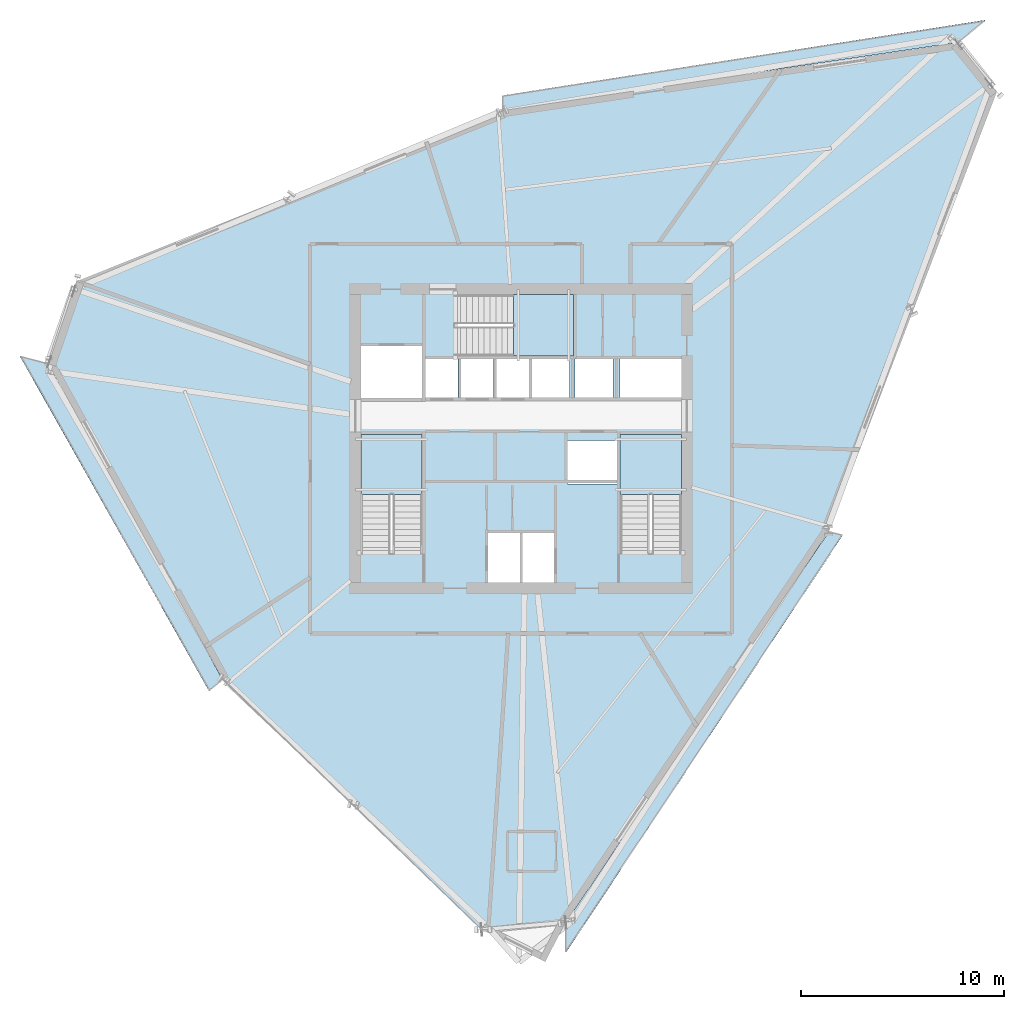
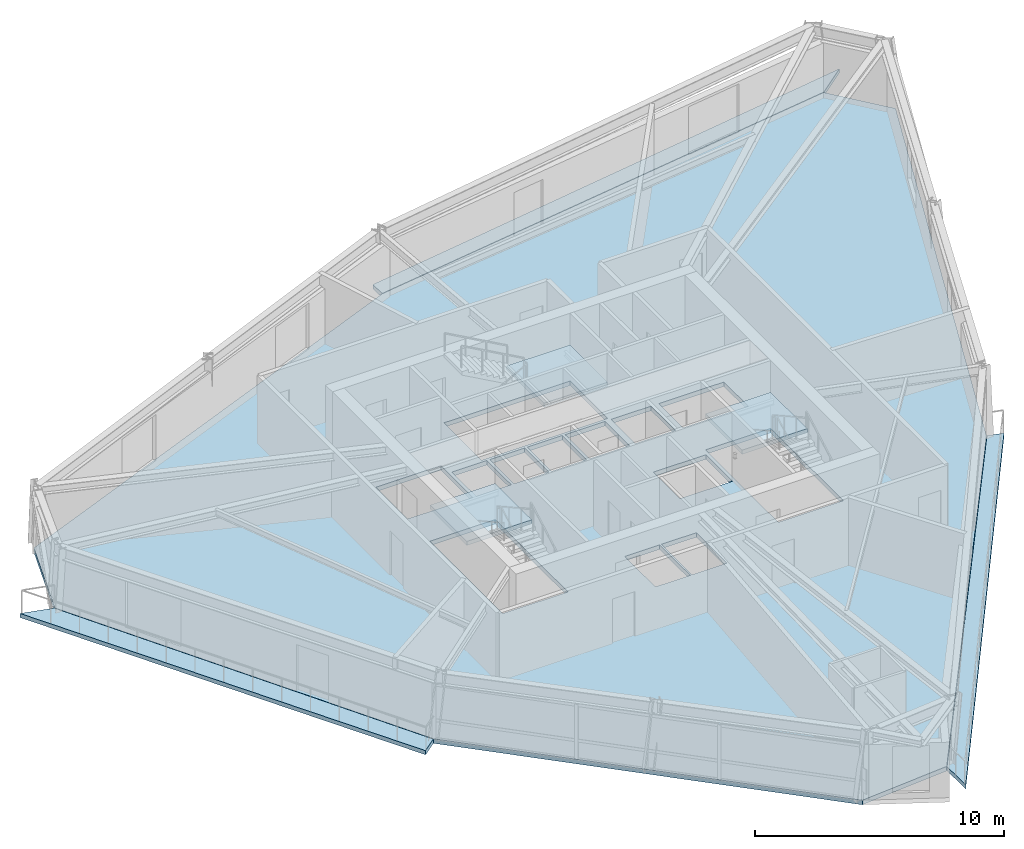
# One storey, part 5 of 13: 7 slabs, 3 elements without a shape of their own.
"""IFC4 building model written with IfcOpenShell, lengths in metres."""

import ifcopenshell
import ifcopenshell.guid

model = None  # the IFC model being written
_history = None  # IfcOwnerHistory: only IFC2X3 demands one
_inside = {}  # id of a spatial element -> (the spatial element, [elements in it])
_under = {}  # id of a project, library or spatial element -> (it, [spatial elements below it])
_declared = {}  # id of a project -> (the project, [libraries it declares])
_typed = {}  # id of a type object -> (the type object, [elements of that type])
_made_of = {}  # id of a material, layer set ... -> (it, [elements and type objects made of it])


def new_model(schema):
    """Start an empty IFC model of exactly this schema.

    Asked for "IFC4X3", IfcOpenShell would pick the latest addendum, in which some entities
    have other attributes; the version numbers below select the first issue.
    IFC2X3 requires an IfcOwnerHistory on every rooted entity: one is made here for all.
    """
    global model, _history
    if schema == "IFC4X3":
        model = ifcopenshell.file(schema_version=(4, 3, 0, 0))
    else:
        model = ifcopenshell.file(schema=schema)
    _inside.clear()
    _under.clear()
    _declared.clear()
    _typed.clear()
    _made_of.clear()
    _history = None
    if model.schema == "IFC2X3":
        org = make("IfcOrganization", Name="unknown")
        user = make(
            "IfcPersonAndOrganization",
            ThePerson=make("IfcPerson", FamilyName="unknown"),
            TheOrganization=org,
        )
        app = make(
            "IfcApplication",
            ApplicationDeveloper=org,
            Version="unknown",
            ApplicationFullName="unknown",
            ApplicationIdentifier="unknown",
        )
        _history = make(
            "IfcOwnerHistory",
            OwningUser=user,
            OwningApplication=app,
            ChangeAction="ADDED",
            CreationDate=0,
        )
    return model


def make(cls, **values):
    """One entity of the class cls with the attributes given. An attribute that is None is left unset."""
    return model.create_entity(
        cls, **{name: value for name, value in values.items() if value is not None}
    )


def rooted(cls, **values):
    """An entity with a GlobalId (a new one), such as an element, a storey or a relation."""
    return make(cls, GlobalId=ifcopenshell.guid.new(), OwnerHistory=_history, **values)


def si_unit(unit_type, name, prefix=None):
    """IfcSIUnit, for example si_unit("LENGTHUNIT", "METRE", prefix="MILLI")."""
    return make("IfcSIUnit", UnitType=unit_type, Prefix=prefix, Name=name)


def assignment(units):
    """IfcUnitAssignment: the units of a project."""
    return None if units is None else make("IfcUnitAssignment", Units=units)


def point(xyz):
    """IfcCartesianPoint."""
    return None if xyz is None else make("IfcCartesianPoint", Coordinates=xyz)


def direction(xyz):
    """IfcDirection."""
    return None if xyz is None else make("IfcDirection", DirectionRatios=xyz)


def frame(location, z_axis=None, x_axis=None):
    """IfcAxis2Placement3D, a coordinate frame: its origin and axes. An axis left out is left unset."""
    return make(
        "IfcAxis2Placement3D",
        Location=point(location),
        Axis=direction(z_axis),
        RefDirection=direction(x_axis),
    )


def origin():
    """The frame at (0, 0, 0) with its axes left unset."""
    return frame((0.0, 0.0, 0.0))


def place(relative_to, where):
    """IfcLocalPlacement: puts the frame where relative to a parent placement (None: the world)."""
    return make(
        "IfcLocalPlacement", PlacementRelTo=relative_to, RelativePlacement=where
    )


def context(
    kind, dimensions, precision=None, world=None, true_north=None, identifier=None
):
    """IfcGeometricRepresentationContext, for example the 3D "Model" context."""
    return make(
        "IfcGeometricRepresentationContext",
        ContextIdentifier=identifier,
        ContextType=kind,
        CoordinateSpaceDimension=dimensions,
        Precision=precision,
        WorldCoordinateSystem=world,
        TrueNorth=true_north,
    )


def subcontext(parent, identifier, kind, view, scale=None):
    """IfcGeometricRepresentationSubContext, for example "Body" below "Model"."""
    return make(
        "IfcGeometricRepresentationSubContext",
        ContextIdentifier=identifier,
        ContextType=kind,
        ParentContext=parent,
        TargetScale=scale,
        TargetView=view,
    )


def project(units=None, contexts=None):
    """IfcProject with its units and contexts."""
    return rooted(
        "IfcProject",
        Name="project",
        RepresentationContexts=contexts,
        UnitsInContext=assignment(units),
    )


def spatial(cls, under=None, at=None, **own):
    """A site, building, storey or space (cls), placed at a placement, below another one or the project."""
    s = rooted(cls, ObjectPlacement=at, **own)
    if under is not None:
        _under.setdefault(under.id(), (under, []))[1].append(s)
    return s


def polyline(points):
    """IfcPolyline through the points."""
    return make("IfcPolyline", Points=[point(p) for p in points])


def outline(outer, holes=None, kind="AREA"):
    """IfcArbitraryClosedProfileDef: a profile drawn as a closed curve; with holes, ...WithVoids."""
    if holes is None:
        return make("IfcArbitraryClosedProfileDef", ProfileType=kind, OuterCurve=outer)
    return make(
        "IfcArbitraryProfileDefWithVoids",
        ProfileType=kind,
        OuterCurve=outer,
        InnerCurves=holes,
    )


def extrude(swept, where, along, depth):
    """IfcExtrudedAreaSolid: the profile swept, set in the frame where, extruded along a direction by depth."""
    return make(
        "IfcExtrudedAreaSolid",
        SweptArea=swept,
        Position=where,
        ExtrudedDirection=direction(along),
        Depth=depth,
    )


def shape(context_of_items, identifier, shape_type, items):
    """IfcShapeRepresentation: the items that make up one representation, for example the "Body"."""
    return make(
        "IfcShapeRepresentation",
        ContextOfItems=context_of_items,
        RepresentationIdentifier=identifier,
        RepresentationType=shape_type,
        Items=items,
    )


def material(Name=None, Category=None):
    """IfcMaterial."""
    return make("IfcMaterial", Name=Name, Category=Category)


def layer(
    of_material, thickness, ventilated=None, Name=None, Category=None, Priority=None
):
    """IfcMaterialLayer: one layer of a wall or slab, of a material (None: an air gap)."""
    return make(
        "IfcMaterialLayer",
        Material=of_material,
        LayerThickness=thickness,
        IsVentilated=ventilated,
        Name=Name,
        Category=Category,
        Priority=Priority,
    )


def layer_set(layers, Name=None):
    """IfcMaterialLayerSet."""
    return make("IfcMaterialLayerSet", MaterialLayers=layers, LayerSetName=Name)


def made_of(thing, what):
    """Note that an element or type object is made of a material, layer set ...; save() writes the relation."""
    if what is not None:
        _made_of.setdefault(what.id(), (what, []))[1].append(thing)
    return thing


def type_object(cls, material=None, **own):
    """A type object (cls), such as IfcWallType, which elements share."""
    return made_of(rooted(cls, **own), material)


def element(
    cls,
    number,
    at=None,
    inside=None,
    cuts=None,
    type_object=None,
    material=None,
    context=None,
    identifier="Body",
    shape_type=None,
    held_by="IfcProductDefinitionShape",
    body=None,
    shapes=None,
    **own,
):
    """One element of the class cls, such as IfcWall. Its Tag is "e" and its number.

    at: its placement. inside: the storey or other place that contains it. cuts: it is an
    opening in that element (IfcRelVoidsElement). A single representation is given by context,
    identifier, shape_type and body (its items); several are given by shapes. held_by: the class
    of the entity that holds the representations. save() writes the other relations.
    """
    e = rooted(cls, Tag="e%d" % number, ObjectPlacement=at, **own)
    if body is not None:
        shapes = [shape(context, identifier, shape_type, body)]
    if shapes is not None:
        e.Representation = make(held_by, Representations=shapes)
    if inside is not None:
        _inside.setdefault(inside.id(), (inside, []))[1].append(e)
    if cuts is not None:
        rooted(
            "IfcRelVoidsElement", RelatingBuildingElement=cuts, RelatedOpeningElement=e
        )
    if type_object is not None:
        _typed.setdefault(type_object.id(), (type_object, []))[1].append(e)
    return made_of(e, material)


def aggregate(whole, parts):
    """IfcRelAggregates: a whole, such as a stair, and the parts it consists of."""
    return rooted("IfcRelAggregates", RelatingObject=whole, RelatedObjects=parts)


def save(model, path):
    """Write the relations noted so far, then the file.

    IfcRelAggregates (storeys below a building ...), IfcRelContainedInSpatialStructure (elements
    in a storey), IfcRelDefinesByType, IfcRelAssociatesMaterial and IfcRelDeclares: one each for
    every whole, place, type object, material and project.
    """
    for whole, parts in _under.values():
        aggregate(whole, parts)
    for where, things in _inside.values():
        rooted(
            "IfcRelContainedInSpatialStructure",
            RelatedElements=things,
            RelatingStructure=where,
        )
    for kind, things in _typed.values():
        rooted("IfcRelDefinesByType", RelatedObjects=things, RelatingType=kind)
    for what, things in _made_of.values():
        rooted("IfcRelAssociatesMaterial", RelatedObjects=things, RelatingMaterial=what)
    for by, libraries in _declared.values():
        rooted("IfcRelDeclares", RelatingContext=by, RelatedDefinitions=libraries)
    model.write(path)


model = new_model("IFC4")

# Units and contexts
model_context = context("Model", 3, precision=1e-05, world=origin(), true_north=direction((0.0, 1.0)))
body_context = subcontext(model_context, "Body", "Model", "MODEL_VIEW")
ifc_project = project(units=[si_unit("LENGTHUNIT", "METRE"), si_unit("AREAUNIT", "SQUARE_METRE"), si_unit("VOLUMEUNIT", "CUBIC_METRE"), si_unit("PLANEANGLEUNIT", "RADIAN"), si_unit("MASSUNIT", "GRAM", prefix="KILO")], contexts=[model_context])

# Site, building, storey
site_placement = place(None, origin())
site = spatial("IfcSite", under=ifc_project, at=site_placement, CompositionType="ELEMENT")
building_placement = place(site_placement, origin())
building = spatial("IfcBuilding", under=site, at=building_placement, Name="Olszyna Solenne Hotel", CompositionType="ELEMENT")
storey_placement = place(building_placement, frame((0.0, 0.0, 192.75)))
storey = spatial("IfcBuildingStorey", under=building, at=storey_placement, Name="L51", CompositionType="ELEMENT", Elevation=192.75)

# Stair, slab
ifc_material_1 = material(Name="Concrete C40/50", Category="concrete")
stair_type = type_object("IfcStairType", Name="STR-C1", PredefinedType="TWO_QUARTER_WINDING_STAIR", material=ifc_material_1)
stair_1_placement = place(storey_placement, origin())
stair_1 = element("IfcStair", 1, at=stair_1_placement, inside=storey, type_object=stair_type, Name="L51 ST1", PredefinedType="TWO_QUARTER_WINDING_STAIR")
ifc_layer_1 = layer(ifc_material_1, 0.18994140625, Name="Concrete C40/50")
ifc_layer_set_1 = layer_set([ifc_layer_1], Name="Concrete C40/50")
slab_type_1 = type_object("IfcSlabType", Name="SL-LN190", PredefinedType="LANDING", material=ifc_layer_set_1)
slab_1_placement = place(storey_placement, frame((0.0, 0.0, 1.574951171875)))
slab_1 = element("IfcSlab", 2, at=slab_1_placement, type_object=slab_type_1, Name="ST1 landing 1", PredefinedType="LANDING", context=body_context, shape_type="SweptSolid", body=[
    extrude(outline(polyline([(33.1201171875, 23.85009765625), (33.1201171875, 26.800048828125), (30.10009765625, 26.800048828125), (30.10009765625, 23.85009765625), (33.1201171875, 23.85009765625)])), origin(), (0.0, 0.0, 1.0), 0.199951171875),
])
aggregate(stair_1, [slab_1])

stair_2_placement = place(storey_placement, origin())
stair_2 = element("IfcStair", 3, at=stair_2_placement, inside=storey, type_object=stair_type, Name="L51 ST2", PredefinedType="TWO_QUARTER_WINDING_STAIR")
slab_2_placement = place(storey_placement, frame((0.0, 0.0, 1.574951171875)))
slab_2 = element("IfcSlab", 4, at=slab_2_placement, type_object=slab_type_1, Name="ST2 landing 1", PredefinedType="LANDING", context=body_context, shape_type="SweptSolid", body=[
    extrude(outline(polyline([(45.89990234375, 23.85009765625), (45.89990234375, 26.800048828125), (42.8798828125, 26.800048828125), (42.8798828125, 23.85009765625), (45.89990234375, 23.85009765625)])), origin(), (0.0, 0.0, 1.0), 0.199951171875),
])
aggregate(stair_2, [slab_2])

stair_3_placement = place(storey_placement, origin())
stair_3 = element("IfcStair", 5, at=stair_3_placement, inside=storey, type_object=stair_type, Name="L51 ST3", PredefinedType="TWO_QUARTER_WINDING_STAIR")
slab_3_placement = place(storey_placement, frame((0.0, 0.0, 1.574951171875)))
slab_3 = element("IfcSlab", 6, at=slab_3_placement, type_object=slab_type_1, Name="ST3 landing 1", PredefinedType="LANDING", context=body_context, shape_type="SweptSolid", body=[
    extrude(outline(polyline([(37.6298828125, 30.679931640625), (40.580078125, 30.679931640625), (40.580078125, 33.699951171875), (37.6298828125, 33.699951171875), (37.6298828125, 30.679931640625)])), origin(), (0.0, 0.0, 1.0), 0.199951171875),
])
aggregate(stair_3, [slab_3])

# Slabs
ifc_material_2 = material(Name="Precast concrete C45/55", Category="concrete")
ifc_layer_2 = layer(ifc_material_2, 0.199951171875, Name="Precast concrete C45/55")
ifc_layer_set_2 = layer_set([ifc_layer_2], Name="Precast concrete C45/55")
slab_type_2 = type_object("IfcSlabType", Name="SL-LOG200", PredefinedType="FLOOR", material=ifc_layer_set_2)
slab_4_placement = place(storey_placement, frame((0.0, 0.0, -0.199951171875)))
element("IfcSlab", 7, at=slab_4_placement, inside=storey, type_object=slab_type_2, Name="Exterior loggia balcony slab SL-L51-LG1", PredefinedType="FLOOR", context=body_context, shape_type="SweptSolid", body=[
    extrude(outline(polyline([(37.107421875, 42.79052734375), (59.513671875, 46.13232421875), (59.514892578125, 46.132568359375), (59.516357421875, 46.132568359375), (59.517822265625, 46.132568359375), (59.519287109375, 46.132080078125), (59.5205078125, 46.1318359375), (59.52197265625, 46.13134765625), (59.523193359375, 46.130615234375), (59.5244140625, 46.1298828125), (59.525390625, 46.12890625), (59.526611328125, 46.128173828125), (59.52734375, 46.127197265625), (60.8974609375, 47.2412109375), (37.096435546875, 43.52197265625), (37.107421875, 42.79052734375)])), origin(), (0.0, 0.0, 1.0), 0.199951171875),
])
slab_5_placement = place(storey_placement, frame((0.0, 0.0, -0.199951171875)))
element("IfcSlab", 8, at=slab_5_placement, inside=storey, type_object=slab_type_2, Name="Exterior loggia balcony slab SL-L51-LG2", PredefinedType="FLOOR", context=body_context, shape_type="SweptSolid", body=[
    extrude(outline(polyline([(23.280517578125, 14.7275390625), (23.27978515625, 14.728515625), (23.279052734375, 14.729736328125), (14.685302734375, 30.27685546875), (14.6845703125, 30.2783203125), (14.68408203125, 30.27978515625), (14.68359375, 30.28125), (14.683349609375, 30.28271484375), (14.683349609375, 30.2841796875), (14.683349609375, 30.285888671875), (14.68359375, 30.287353515625), (14.683837890625, 30.287841796875), (13.294189453125, 30.6533203125), (22.601318359375, 14.175048828125), (23.280517578125, 14.7275390625)])), origin(), (0.0, 0.0, 1.0), 0.199951171875),
])
slab_6_placement = place(storey_placement, frame((0.0, 0.0, -0.199951171875)))
element("IfcSlab", 9, at=slab_6_placement, inside=storey, type_object=slab_type_2, Name="Exterior loggia balcony slab SL-L51-LG3", PredefinedType="FLOOR", context=body_context, shape_type="SweptSolid", body=[
    extrude(outline(polyline([(53.173095703125, 22.010498046875), (53.172607421875, 22.0087890625), (53.171875, 22.00732421875), (53.1708984375, 22.005859375), (40.19921875, 2.743408203125), (40.186767578125, 2.718994140625), (40.208740234375, 1.258056640625), (53.860595703125, 21.82958984375), (53.173095703125, 22.010498046875)])), origin(), (0.0, 0.0, 1.0), 0.199951171875),
])
ifc_material_3 = material(Name="Concrete C50/60", Category="concrete")
ifc_layer_3 = layer(ifc_material_3, 0.219970703125, Name="Concrete C50/60")
ifc_layer_set_3 = layer_set([ifc_layer_3], Name="Concrete C50/60")
slab_type_3 = type_object("IfcSlabType", Name="SL-TW225", PredefinedType="FLOOR", material=ifc_layer_set_3)
slab_7_placement = place(storey_placement, frame((0.0, 0.0, -0.219970703125)))
element("IfcSlab", 10, at=slab_7_placement, inside=storey, type_object=slab_type_3, Name="Floor slab SL-TW225 SL-L51-01", PredefinedType="FLOOR", context=body_context, shape_type="SweptSolid", body=[
    extrude(outline(polyline([(61.4599609375, 43.7041015625), (59.515869140625, 46.11767578125), (37.107666015625, 42.775390625), (16.0751953125, 34.352783203125), (14.6982421875, 30.2841796875), (23.2919921875, 14.737060546875), (36.064453125, 2.390380859375), (40.186279296875, 2.751220703125), (53.158447265625, 22.014404296875), (61.4599609375, 43.7041015625)]), holes=[polyline([(30.10009765625, 20.949951171875), (33.1201171875, 20.949951171875), (33.1201171875, 26.800048828125), (30.10009765625, 26.800048828125), (30.10009765625, 20.949951171875)]), polyline([(42.8798828125, 20.949951171875), (45.89990234375, 20.949951171875), (45.89990234375, 26.800048828125), (42.8798828125, 26.800048828125), (42.8798828125, 20.949951171875)]), polyline([(34.72998046875, 30.679931640625), (40.580078125, 30.679931640625), (40.580078125, 33.699951171875), (34.72998046875, 33.699951171875), (34.72998046875, 30.679931640625)]), polyline([(36.340087890625, 19.5), (37.9599609375, 19.5), (37.9599609375, 21.9599609375), (36.340087890625, 21.9599609375), (36.340087890625, 19.5)]), polyline([(38.0400390625, 19.5), (39.659912109375, 19.5), (39.659912109375, 21.9599609375), (38.0400390625, 21.9599609375), (38.0400390625, 19.5)]), polyline([(30.10009765625, 28.60009765625), (33.1201171875, 28.60009765625), (33.1201171875, 31.159912109375), (30.10009765625, 31.159912109375), (30.10009765625, 28.60009765625)]), polyline([(40.280029296875, 24.360107421875), (42.719970703125, 24.360107421875), (42.719970703125, 26.5), (40.280029296875, 26.5), (40.280029296875, 24.360107421875)]), polyline([(33.280029296875, 28.60009765625), (34.89990234375, 28.60009765625), (34.89990234375, 30.550048828125), (33.280029296875, 30.550048828125), (33.280029296875, 28.60009765625)]), polyline([(35.030029296875, 28.60009765625), (36.64990234375, 28.60009765625), (36.64990234375, 30.550048828125), (35.030029296875, 30.550048828125), (35.030029296875, 28.60009765625)]), polyline([(36.780029296875, 28.60009765625), (38.39990234375, 28.60009765625), (38.39990234375, 30.550048828125), (36.780029296875, 30.550048828125), (36.780029296875, 28.60009765625)]), polyline([(38.530029296875, 28.60009765625), (40.389892578125, 28.60009765625), (40.389892578125, 30.550048828125), (38.530029296875, 30.550048828125), (38.530029296875, 28.60009765625)]), polyline([(40.659912109375, 28.60009765625), (42.52001953125, 28.60009765625), (42.52001953125, 30.550048828125), (40.659912109375, 30.550048828125), (40.659912109375, 28.60009765625)]), polyline([(42.8798828125, 28.60009765625), (45.89990234375, 28.60009765625), (45.89990234375, 30.550048828125), (42.8798828125, 30.550048828125), (42.8798828125, 28.60009765625)])]), origin(), (0.0, 0.0, 1.0), 0.219970703125),
])

save(model, "model.ifc")
